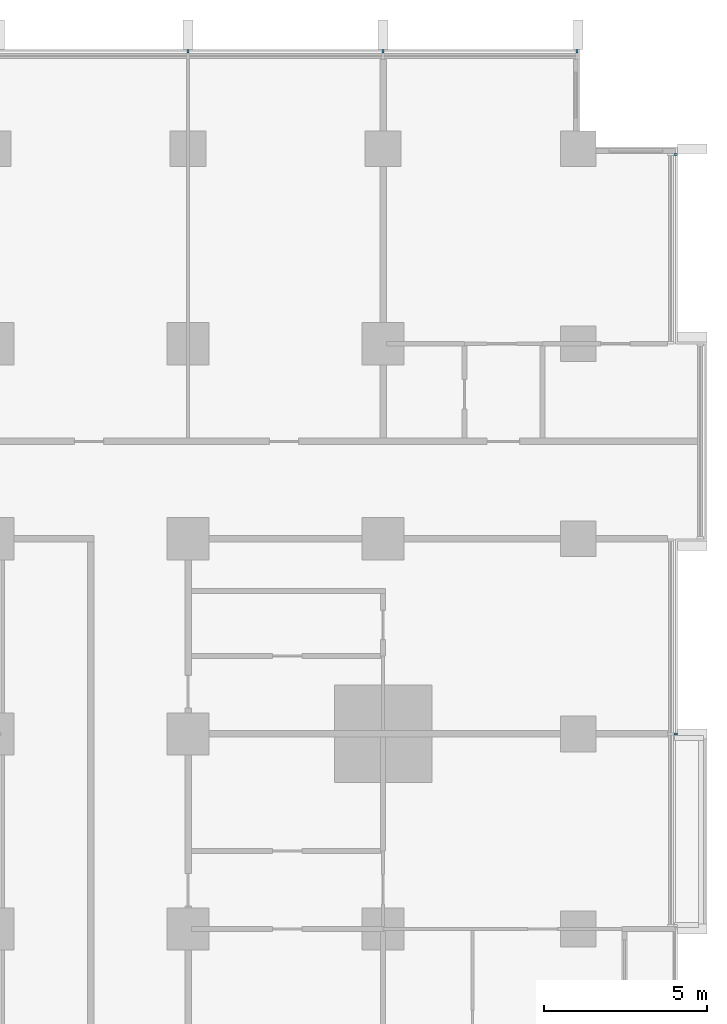
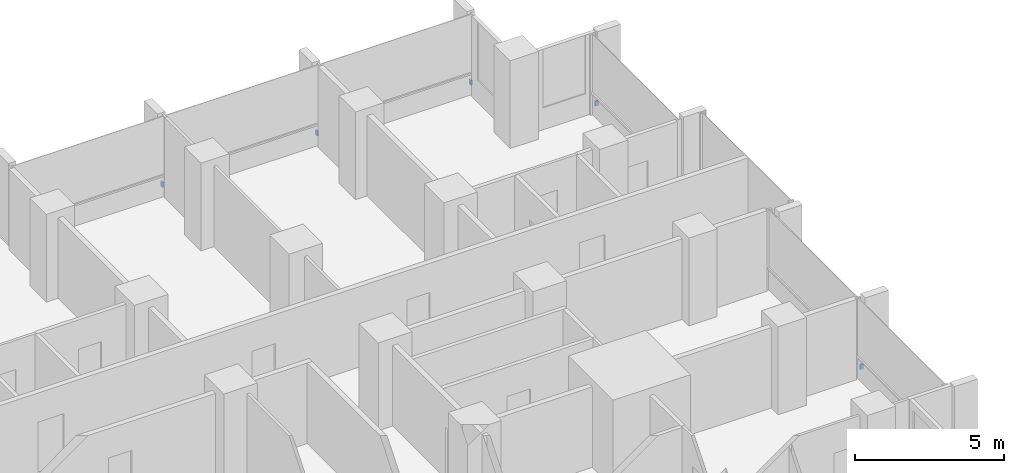
# One storey, part 16 of 17: 5 discrete accessories.
"""IFC4 building model written with IfcOpenShell, lengths in metres."""

from ifc_helpers import new_model, si_unit, direction, frame, origin, origin_2d, place, context, subcontext, project, spatial, rectangle, extrude, material, type_object, element, save


model = new_model("IFC4")

# Units and contexts
model_context = context("Model", 3, precision=1e-05, world=origin(), true_north=direction((0.0, 1.0)))
body_context = subcontext(model_context, "Body", "Model", "MODEL_VIEW")
ifc_project = project(units=[si_unit("LENGTHUNIT", "METRE"), si_unit("AREAUNIT", "SQUARE_METRE"), si_unit("VOLUMEUNIT", "CUBIC_METRE"), si_unit("PLANEANGLEUNIT", "RADIAN"), si_unit("MASSUNIT", "GRAM", prefix="KILO")], contexts=[model_context])

# Site, building, storey
site_placement = place(None, origin())
site = spatial("IfcSite", under=ifc_project, at=site_placement, CompositionType="ELEMENT")
building_placement = place(site_placement, origin())
building = spatial("IfcBuilding", under=site, at=building_placement, Name="Finial Court Residences", CompositionType="ELEMENT")
storey_placement = place(building_placement, frame((0.0, 0.0, 64.89990234375)))
storey = spatial("IfcBuildingStorey", under=building, at=storey_placement, Name="L15", CompositionType="ELEMENT", Elevation=64.89990234375)

# Discrete accessories
ifc_material = material(Name="Stainless steel 316", Category="steel")
discrete_accessory_type = type_object("IfcDiscreteAccessoryType", Name="Fin bracket, stainless steel 65 x 110 x 200", PredefinedType="BRACKET", material=ifc_material)
for number, where, z_axis, x_axis, name in (
    (1, (10.5, 28.5048828125, 0.30029296875), (0.0, 0.0, 1.0), (1.0, 0.0, 0.0), "E-L15-FIN-N6-BRK"),
    (2, (16.5, 28.5048828125, 0.30029296875), (0.0, 0.0, 1.0), (1.0, 0.0, 0.0), "E-L15-FIN-N7-BRK"),
    (3, (22.467529296875, 28.5048828125, 0.30029296875), (0.0, 0.0, 1.0), (1.0, 0.0, 0.0), "E-L15-FIN-N8-BRK"),
):
    element("IfcDiscreteAccessory", number, at=place(storey_placement, frame(where, z_axis=z_axis, x_axis=x_axis)), inside=storey, type_object=discrete_accessory_type, Name=name, PredefinedType="BRACKET", context=body_context, shape_type="SweptSolid", body=[
        extrude(rectangle(XDim=0.06494140625, YDim=0.110107421875, at=origin_2d()), origin(), (0.0, 0.0, 1.0), 0.199951171875),
    ])
for number, where, z_axis, x_axis, name in (
    (4, (25.5048828125, 7.5, 0.30029296875), (0.0, 0.0, 1.0), (1.0, 0.0, 0.0), "E-L15-FIN-E13-BRK"),
    (5, (25.5048828125, 25.3173828125, 0.30029296875), (0.0, 0.0, 1.0), (1.0, 0.0, 0.0), "E-L15-FIN-E16-BRK"),
):
    element("IfcDiscreteAccessory", number, at=place(storey_placement, frame(where, z_axis=z_axis, x_axis=x_axis)), inside=storey, type_object=discrete_accessory_type, Name=name, PredefinedType="BRACKET", context=body_context, shape_type="SweptSolid", body=[
        extrude(rectangle(XDim=0.110107421875, YDim=0.06494140625, at=origin_2d()), origin(), (0.0, 0.0, 1.0), 0.199951171875),
    ])

save(model, "model.ifc")
